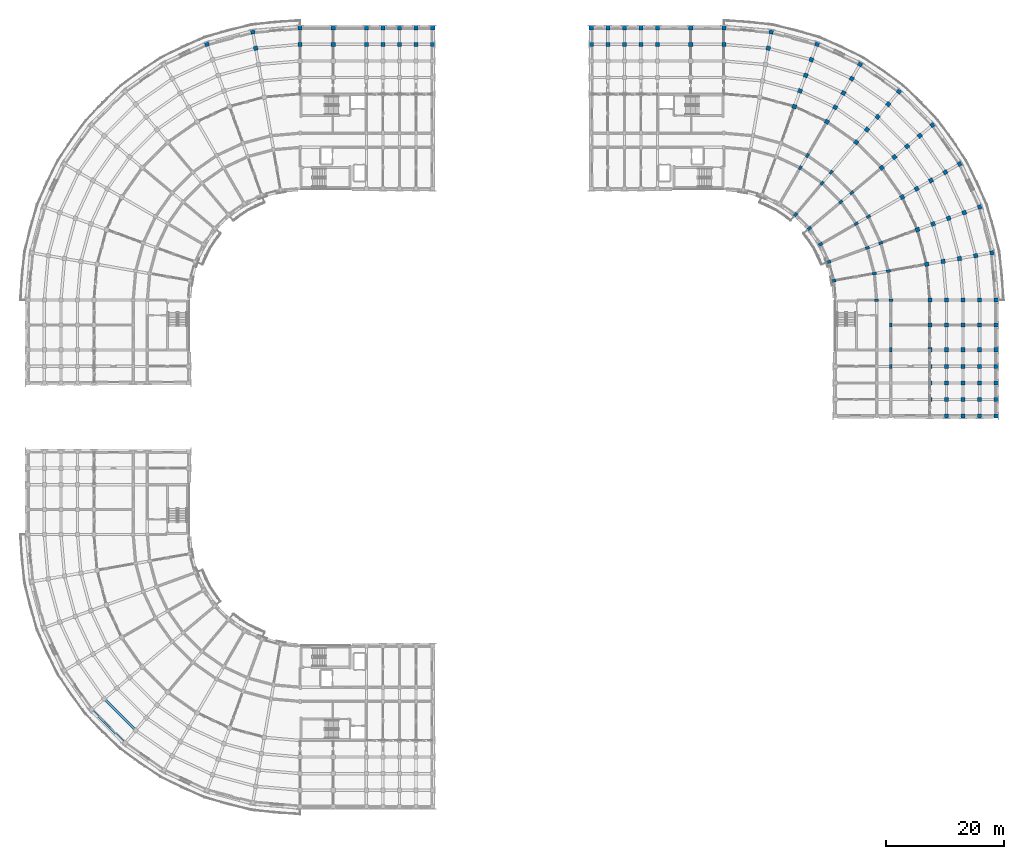
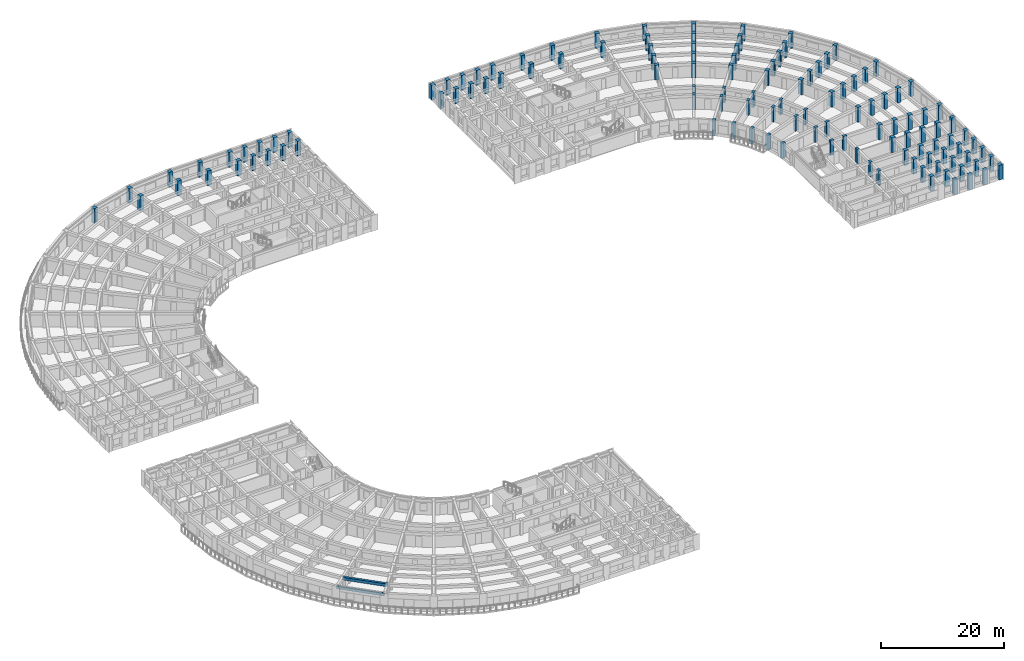
# One storey, part 3 of 57: 124 columns, 2 beams.
"""IFC4 building model written with IfcOpenShell, lengths in metres."""

import ifcopenshell
import ifcopenshell.guid

model = None  # the IFC model being written
_history = None  # IfcOwnerHistory: only IFC2X3 demands one
_inside = {}  # id of a spatial element -> (the spatial element, [elements in it])
_under = {}  # id of a project, library or spatial element -> (it, [spatial elements below it])
_declared = {}  # id of a project -> (the project, [libraries it declares])
_typed = {}  # id of a type object -> (the type object, [elements of that type])
_made_of = {}  # id of a material, layer set ... -> (it, [elements and type objects made of it])


def new_model(schema):
    """Start an empty IFC model of exactly this schema.

    Asked for "IFC4X3", IfcOpenShell would pick the latest addendum, in which some entities
    have other attributes; the version numbers below select the first issue.
    IFC2X3 requires an IfcOwnerHistory on every rooted entity: one is made here for all.
    """
    global model, _history
    if schema == "IFC4X3":
        model = ifcopenshell.file(schema_version=(4, 3, 0, 0))
    else:
        model = ifcopenshell.file(schema=schema)
    _inside.clear()
    _under.clear()
    _declared.clear()
    _typed.clear()
    _made_of.clear()
    _history = None
    if model.schema == "IFC2X3":
        org = make("IfcOrganization", Name="unknown")
        user = make(
            "IfcPersonAndOrganization",
            ThePerson=make("IfcPerson", FamilyName="unknown"),
            TheOrganization=org,
        )
        app = make(
            "IfcApplication",
            ApplicationDeveloper=org,
            Version="unknown",
            ApplicationFullName="unknown",
            ApplicationIdentifier="unknown",
        )
        _history = make(
            "IfcOwnerHistory",
            OwningUser=user,
            OwningApplication=app,
            ChangeAction="ADDED",
            CreationDate=0,
        )
    return model


def make(cls, **values):
    """One entity of the class cls with the attributes given. An attribute that is None is left unset."""
    return model.create_entity(
        cls, **{name: value for name, value in values.items() if value is not None}
    )


def rooted(cls, **values):
    """An entity with a GlobalId (a new one), such as an element, a storey or a relation."""
    return make(cls, GlobalId=ifcopenshell.guid.new(), OwnerHistory=_history, **values)


def si_unit(unit_type, name, prefix=None):
    """IfcSIUnit, for example si_unit("LENGTHUNIT", "METRE", prefix="MILLI")."""
    return make("IfcSIUnit", UnitType=unit_type, Prefix=prefix, Name=name)


def assignment(units):
    """IfcUnitAssignment: the units of a project."""
    return None if units is None else make("IfcUnitAssignment", Units=units)


def point(xyz):
    """IfcCartesianPoint."""
    return None if xyz is None else make("IfcCartesianPoint", Coordinates=xyz)


def direction(xyz):
    """IfcDirection."""
    return None if xyz is None else make("IfcDirection", DirectionRatios=xyz)


def frame(location, z_axis=None, x_axis=None):
    """IfcAxis2Placement3D, a coordinate frame: its origin and axes. An axis left out is left unset."""
    return make(
        "IfcAxis2Placement3D",
        Location=point(location),
        Axis=direction(z_axis),
        RefDirection=direction(x_axis),
    )


def frame_2d(location, x_axis=None):
    """IfcAxis2Placement2D, a coordinate frame in the plane: its origin and x axis."""
    return make(
        "IfcAxis2Placement2D", Location=point(location), RefDirection=direction(x_axis)
    )


def origin():
    """The frame at (0, 0, 0) with its axes left unset."""
    return frame((0.0, 0.0, 0.0))


def origin_2d():
    """The frame at (0, 0) in the plane with its x axis left unset."""
    return frame_2d((0.0, 0.0))


def place(relative_to, where):
    """IfcLocalPlacement: puts the frame where relative to a parent placement (None: the world)."""
    return make(
        "IfcLocalPlacement", PlacementRelTo=relative_to, RelativePlacement=where
    )


def context(
    kind, dimensions, precision=None, world=None, true_north=None, identifier=None
):
    """IfcGeometricRepresentationContext, for example the 3D "Model" context."""
    return make(
        "IfcGeometricRepresentationContext",
        ContextIdentifier=identifier,
        ContextType=kind,
        CoordinateSpaceDimension=dimensions,
        Precision=precision,
        WorldCoordinateSystem=world,
        TrueNorth=true_north,
    )


def subcontext(parent, identifier, kind, view, scale=None):
    """IfcGeometricRepresentationSubContext, for example "Body" below "Model"."""
    return make(
        "IfcGeometricRepresentationSubContext",
        ContextIdentifier=identifier,
        ContextType=kind,
        ParentContext=parent,
        TargetScale=scale,
        TargetView=view,
    )


def project(units=None, contexts=None):
    """IfcProject with its units and contexts."""
    return rooted(
        "IfcProject",
        Name="project",
        RepresentationContexts=contexts,
        UnitsInContext=assignment(units),
    )


def spatial(cls, under=None, at=None, **own):
    """A site, building, storey or space (cls), placed at a placement, below another one or the project."""
    s = rooted(cls, ObjectPlacement=at, **own)
    if under is not None:
        _under.setdefault(under.id(), (under, []))[1].append(s)
    return s


def profile(cls, at=None, kind="AREA", **sizes):
    """A parametric profile (cls). Its sizes go by their IFC names, for example OverallWidth=200.0."""
    return make(cls, ProfileType=kind, Position=at, **sizes)


def rectangle(**sizes):
    """IfcRectangleProfileDef."""
    return profile("IfcRectangleProfileDef", **sizes)


def extrude(swept, where, along, depth):
    """IfcExtrudedAreaSolid: the profile swept, set in the frame where, extruded along a direction by depth."""
    return make(
        "IfcExtrudedAreaSolid",
        SweptArea=swept,
        Position=where,
        ExtrudedDirection=direction(along),
        Depth=depth,
    )


def shape(context_of_items, identifier, shape_type, items):
    """IfcShapeRepresentation: the items that make up one representation, for example the "Body"."""
    return make(
        "IfcShapeRepresentation",
        ContextOfItems=context_of_items,
        RepresentationIdentifier=identifier,
        RepresentationType=shape_type,
        Items=items,
    )


def material(Name=None, Category=None):
    """IfcMaterial."""
    return make("IfcMaterial", Name=Name, Category=Category)


def material_profile(
    of_material, cross_section, Name=None, Category=None, Priority=None
):
    """IfcMaterialProfile: a cross section and its material."""
    return make(
        "IfcMaterialProfile",
        Name=Name,
        Material=of_material,
        Profile=cross_section,
        Priority=Priority,
        Category=Category,
    )


def profile_set(profiles, Name=None, composite=None):
    """IfcMaterialProfileSet."""
    return make(
        "IfcMaterialProfileSet",
        Name=Name,
        MaterialProfiles=profiles,
        CompositeProfile=composite,
    )


def made_of(thing, what):
    """Note that an element or type object is made of a material, layer set ...; save() writes the relation."""
    if what is not None:
        _made_of.setdefault(what.id(), (what, []))[1].append(thing)
    return thing


def type_object(cls, material=None, **own):
    """A type object (cls), such as IfcWallType, which elements share."""
    return made_of(rooted(cls, **own), material)


def element(
    cls,
    number,
    at=None,
    inside=None,
    cuts=None,
    type_object=None,
    material=None,
    context=None,
    identifier="Body",
    shape_type=None,
    held_by="IfcProductDefinitionShape",
    body=None,
    shapes=None,
    **own,
):
    """One element of the class cls, such as IfcWall. Its Tag is "e" and its number.

    at: its placement. inside: the storey or other place that contains it. cuts: it is an
    opening in that element (IfcRelVoidsElement). A single representation is given by context,
    identifier, shape_type and body (its items); several are given by shapes. held_by: the class
    of the entity that holds the representations. save() writes the other relations.
    """
    e = rooted(cls, Tag="e%d" % number, ObjectPlacement=at, **own)
    if body is not None:
        shapes = [shape(context, identifier, shape_type, body)]
    if shapes is not None:
        e.Representation = make(held_by, Representations=shapes)
    if inside is not None:
        _inside.setdefault(inside.id(), (inside, []))[1].append(e)
    if cuts is not None:
        rooted(
            "IfcRelVoidsElement", RelatingBuildingElement=cuts, RelatedOpeningElement=e
        )
    if type_object is not None:
        _typed.setdefault(type_object.id(), (type_object, []))[1].append(e)
    return made_of(e, material)


def aggregate(whole, parts):
    """IfcRelAggregates: a whole, such as a stair, and the parts it consists of."""
    return rooted("IfcRelAggregates", RelatingObject=whole, RelatedObjects=parts)


def save(model, path):
    """Write the relations noted so far, then the file.

    IfcRelAggregates (storeys below a building ...), IfcRelContainedInSpatialStructure (elements
    in a storey), IfcRelDefinesByType, IfcRelAssociatesMaterial and IfcRelDeclares: one each for
    every whole, place, type object, material and project.
    """
    for whole, parts in _under.values():
        aggregate(whole, parts)
    for where, things in _inside.values():
        rooted(
            "IfcRelContainedInSpatialStructure",
            RelatedElements=things,
            RelatingStructure=where,
        )
    for kind, things in _typed.values():
        rooted("IfcRelDefinesByType", RelatedObjects=things, RelatingType=kind)
    for what, things in _made_of.values():
        rooted("IfcRelAssociatesMaterial", RelatedObjects=things, RelatingMaterial=what)
    for by, libraries in _declared.values():
        rooted("IfcRelDeclares", RelatingContext=by, RelatedDefinitions=libraries)
    model.write(path)


model = new_model("IFC4")

# Units and contexts
model_context = context("Model", 3, precision=1e-05, world=origin(), true_north=direction((0.0, 1.0)))
body_context = subcontext(model_context, "Body", "Model", "MODEL_VIEW")
ifc_project = project(units=[si_unit("LENGTHUNIT", "METRE"), si_unit("AREAUNIT", "SQUARE_METRE"), si_unit("VOLUMEUNIT", "CUBIC_METRE"), si_unit("PLANEANGLEUNIT", "RADIAN"), si_unit("MASSUNIT", "GRAM", prefix="KILO")], contexts=[model_context])

# Site, building, storey
site_placement = place(None, origin())
site = spatial("IfcSite", under=ifc_project, at=site_placement, CompositionType="ELEMENT")
building_placement = place(site_placement, origin())
building = spatial("IfcBuilding", under=site, at=building_placement, Name="Kiranvali Square Residences", CompositionType="ELEMENT")
storey_placement = place(building_placement, frame((0.0, 0.0, 18.14990234375)))
storey = spatial("IfcBuildingStorey", under=building, at=storey_placement, Name="L05", CompositionType="ELEMENT", Elevation=18.14990234375)

# Columns
ifc_material_1 = material(Name="Concrete M45 (45 MPa)", Category="concrete")
ifc_material_profile_1 = material_profile(ifc_material_1, rectangle(XDim=0.699951171875, YDim=0.699951171875, at=origin_2d()), Name="RC 700x700")
ifc_profile_set_1 = profile_set([ifc_material_profile_1], Name="Concrete M45 (45 MPa)")
column_type_1 = type_object("IfcColumnType", Name="COL-M45-700", PredefinedType="COLUMN", material=ifc_profile_set_1)
for number, where, z_axis, x_axis, name in (
    (1, (48.199951171875, 131.0, 0.0), (0.0, 0.0, 1.0), (1.0, 0.0, 0.0), "Block A L05 radial column A00-R6"),
    (2, (48.199951171875, 133.800048828125, 0.0), (0.0, 0.0, 1.0), (1.0, 0.0, 0.0), "Block A L05 radial column A00-R7"),
    (3, (40.698486328125, 130.34375, 0.0), (0.0, 0.0, 1.0), (0.984807753012, 0.173648177667, 0.0), "Block A L05 radial column A01-R6"),
    (4, (40.212158203125, 133.10107421875, 0.0), (0.0, 0.0, 1.0), (0.984807753012, 0.173648177667, 0.0), "Block A L05 radial column A01-R7"),
    (5, (32.467041015625, 131.02587890625, 0.0), (0.0, 0.0, 1.0), (0.939692620786, 0.342020143326, 0.0), "Block A L05 radial column A02-R7"),
    (6, (53.800048828125, 131.0, 0.0), (0.0, 0.0, 1.0), (1.0, 0.0, 0.0), "Block A L05 core-front column U0-R6"),
    (7, (53.800048828125, 133.800048828125, 0.0), (0.0, 0.0, 1.0), (1.0, 0.0, 0.0), "Block A L05 core-front column U0-R7"),
    (8, (59.39990234375, 131.0, 0.0), (0.0, 0.0, 1.0), (1.0, 0.0, 0.0), "Block A L05 Arm 1 column U1-R6"),
    (9, (59.39990234375, 133.800048828125, 0.0), (0.0, 0.0, 1.0), (1.0, 0.0, 0.0), "Block A L05 Arm 1 column U1-R7"),
    (10, (62.199951171875, 131.0, 0.0), (0.0, 0.0, 1.0), (1.0, 0.0, 0.0), "Block A L05 Arm 1 column U2-R6"),
    (11, (62.199951171875, 133.800048828125, 0.0), (0.0, 0.0, 1.0), (1.0, 0.0, 0.0), "Block A L05 Arm 1 column U2-R7"),
    (12, (65.0, 131.0, 0.0), (0.0, 0.0, 1.0), (1.0, 0.0, 0.0), "Block A L05 Arm 1 column U3-R6"),
    (13, (65.0, 133.800048828125, 0.0), (0.0, 0.0, 1.0), (1.0, 0.0, 0.0), "Block A L05 Arm 1 column U3-R7"),
    (14, (67.800048828125, 131.0, 0.0), (0.0, 0.0, 1.0), (1.0, 0.0, 0.0), "Block A L05 Arm 1 column U4-R6"),
    (15, (67.800048828125, 133.800048828125, 0.0), (0.0, 0.0, 1.0), (1.0, 0.0, 0.0), "Block A L05 Arm 1 column U4-R7"),
    (16, (70.60009765625, 131.0, 0.0), (0.0, 0.0, 1.0), (1.0, 0.0, 0.0), "Block A L05 Arm 1 column U5-R6"),
    (17, (70.60009765625, 133.800048828125, 0.0), (0.0, 0.0, 1.0), (1.0, 0.0, 0.0), "Block A L05 Arm 1 column U5-R7"),
    (18, (119.800048828125, 131.0, 0.0), (0.0, 0.0, 1.0), (1.0, 0.0, 0.0), "Block B L05 radial column A00-R6"),
    (19, (119.800048828125, 133.800048828125, 0.0), (0.0, 0.0, 1.0), (1.0, 0.0, 0.0), "Block B L05 radial column A00-R7"),
    (20, (127.301513671875, 130.34375, 0.0), (0.0, 0.0, 1.0), (-0.984807753012, 0.173648177667, 0.0), "Block B L05 radial column A01-R6"),
    (21, (127.787841796875, 133.10107421875, 0.0), (0.0, 0.0, 1.0), (-0.984807753012, 0.173648177667, 0.0), "Block B L05 radial column A01-R7"),
    (22, (131.702392578125, 120.501220703125, 0.0), (0.0, 0.0, 1.0), (-0.939692620786, 0.342020143326, 0.0), "Block B L05 radial column A02-R3"),
    (23, (132.659912109375, 123.13232421875, 0.0), (0.0, 0.0, 1.0), (-0.939692620786, 0.342020143326, 0.0), "Block B L05 radial column A02-R4"),
    (24, (133.61767578125, 125.763671875, 0.0), (0.0, 0.0, 1.0), (-0.939692620786, 0.342020143326, 0.0), "Block B L05 radial column A02-R5"),
    (25, (134.5751953125, 128.394775390625, 0.0), (0.0, 0.0, 1.0), (-0.939692620786, 0.342020143326, 0.0), "Block B L05 radial column A02-R6"),
    (26, (135.532958984375, 131.02587890625, 0.0), (0.0, 0.0, 1.0), (-0.939692620786, 0.342020143326, 0.0), "Block B L05 radial column A02-R7"),
    (27, (137.199951171875, 117.937744140625, 0.0), (0.0, 0.0, 1.0), (-0.866025403784, 0.5, 0.0), "Block B L05 radial column A03-R3"),
    (28, (138.60009765625, 120.362548828125, 0.0), (0.0, 0.0, 1.0), (-0.866025403784, 0.5, 0.0), "Block B L05 radial column A03-R4"),
    (29, (140.0, 122.787353515625, 0.0), (0.0, 0.0, 1.0), (-0.866025403784, 0.5, 0.0), "Block B L05 radial column A03-R5"),
    (30, (141.39990234375, 125.21240234375, 0.0), (0.0, 0.0, 1.0), (-0.866025403784, 0.5, 0.0), "Block B L05 radial column A03-R6"),
    (31, (142.800048828125, 127.63720703125, 0.0), (0.0, 0.0, 1.0), (-0.866025403784, 0.5, 0.0), "Block B L05 radial column A03-R7"),
    (32, (142.1689453125, 114.458251953125, 0.0), (0.0, 0.0, 1.0), (-0.766044443119, 0.642787609687, 0.0), "Block B L05 radial column A04-R3"),
    (33, (143.96875, 116.603271484375, 0.0), (0.0, 0.0, 1.0), (-0.766044443119, 0.642787609687, 0.0), "Block B L05 radial column A04-R4"),
    (34, (145.7685546875, 118.748291015625, 0.0), (0.0, 0.0, 1.0), (-0.766044443119, 0.642787609687, 0.0), "Block B L05 radial column A04-R5"),
    (35, (147.568359375, 120.89306640625, 0.0), (0.0, 0.0, 1.0), (-0.766044443119, 0.642787609687, 0.0), "Block B L05 radial column A04-R6"),
    (36, (149.3681640625, 123.0380859375, 0.0), (0.0, 0.0, 1.0), (-0.766044443119, 0.642787609687, 0.0), "Block B L05 radial column A04-R7"),
    (37, (146.458251953125, 110.1689453125, 0.0), (0.0, 0.0, 1.0), (-0.642787609687, 0.766044443119, 0.0), "Block B L05 radial column A05-R3"),
    (38, (148.603271484375, 111.96875, 0.0), (0.0, 0.0, 1.0), (-0.642787609687, 0.766044443119, 0.0), "Block B L05 radial column A05-R4"),
    (39, (150.748291015625, 113.7685546875, 0.0), (0.0, 0.0, 1.0), (-0.642787609687, 0.766044443119, 0.0), "Block B L05 radial column A05-R5"),
    (40, (152.89306640625, 115.568359375, 0.0), (0.0, 0.0, 1.0), (-0.642787609687, 0.766044443119, 0.0), "Block B L05 radial column A05-R6"),
    (41, (155.0380859375, 117.3681640625, 0.0), (0.0, 0.0, 1.0), (-0.642787609687, 0.766044443119, 0.0), "Block B L05 radial column A05-R7"),
    (42, (149.937744140625, 105.199951171875, 0.0), (0.0, 0.0, 1.0), (-0.5, 0.866025403784, 0.0), "Block B L05 radial column A06-R3"),
    (43, (152.362548828125, 106.60009765625, 0.0), (0.0, 0.0, 1.0), (-0.5, 0.866025403784, 0.0), "Block B L05 radial column A06-R4"),
    (44, (154.787353515625, 108.0, 0.0), (0.0, 0.0, 1.0), (-0.5, 0.866025403784, 0.0), "Block B L05 radial column A06-R5"),
    (45, (157.21240234375, 109.39990234375, 0.0), (0.0, 0.0, 1.0), (-0.5, 0.866025403784, 0.0), "Block B L05 radial column A06-R6"),
    (46, (159.63720703125, 110.800048828125, 0.0), (0.0, 0.0, 1.0), (-0.5, 0.866025403784, 0.0), "Block B L05 radial column A06-R7"),
    (47, (152.501220703125, 99.702392578125, 0.0), (0.0, 0.0, 1.0), (-0.342020143326, 0.939692620786, 0.0), "Block B L05 radial column A07-R3"),
    (48, (155.13232421875, 100.659912109375, 0.0), (0.0, 0.0, 1.0), (-0.342020143326, 0.939692620786, 0.0), "Block B L05 radial column A07-R4"),
    (49, (157.763671875, 101.61767578125, 0.0), (0.0, 0.0, 1.0), (-0.342020143326, 0.939692620786, 0.0), "Block B L05 radial column A07-R5"),
    (50, (160.394775390625, 102.5751953125, 0.0), (0.0, 0.0, 1.0), (-0.342020143326, 0.939692620786, 0.0), "Block B L05 radial column A07-R6"),
    (51, (163.02587890625, 103.532958984375, 0.0), (0.0, 0.0, 1.0), (-0.342020143326, 0.939692620786, 0.0), "Block B L05 radial column A07-R7"),
    (52, (154.0712890625, 93.843017578125, 0.0), (0.0, 0.0, 1.0), (-0.173648177667, 0.984807753012, 0.0), "Block B L05 radial column A08-R3"),
    (53, (156.828857421875, 94.3291015625, 0.0), (0.0, 0.0, 1.0), (-0.173648177667, 0.984807753012, 0.0), "Block B L05 radial column A08-R4"),
    (54, (159.586181640625, 94.8154296875, 0.0), (0.0, 0.0, 1.0), (-0.173648177667, 0.984807753012, 0.0), "Block B L05 radial column A08-R5"),
    (55, (162.34375, 95.301513671875, 0.0), (0.0, 0.0, 1.0), (-0.173648177667, 0.984807753012, 0.0), "Block B L05 radial column A08-R6"),
    (56, (165.10107421875, 95.787841796875, 0.0), (0.0, 0.0, 1.0), (-0.173648177667, 0.984807753012, 0.0), "Block B L05 radial column A08-R7"),
    (57, (154.60009765625, 87.800048828125, 0.0), (0.0, 0.0, 1.0), (0.0, 1.0, 0.0), "Block B L05 radial column A09-R3"),
    (58, (157.39990234375, 87.800048828125, 0.0), (0.0, 0.0, 1.0), (0.0, 1.0, 0.0), "Block B L05 radial column A09-R4"),
    (59, (160.199951171875, 87.800048828125, 0.0), (0.0, 0.0, 1.0), (0.0, 1.0, 0.0), "Block B L05 radial column A09-R5"),
    (60, (163.0, 87.800048828125, 0.0), (0.0, 0.0, 1.0), (0.0, 1.0, 0.0), "Block B L05 radial column A09-R6"),
    (61, (165.800048828125, 87.800048828125, 0.0), (0.0, 0.0, 1.0), (0.0, 1.0, 0.0), "Block B L05 radial column A09-R7"),
    (62, (114.199951171875, 131.0, 0.0), (0.0, 0.0, 1.0), (1.0, 0.0, 0.0), "Block B L05 core-front column U0-R6"),
    (63, (114.199951171875, 133.800048828125, 0.0), (0.0, 0.0, 1.0), (1.0, 0.0, 0.0), "Block B L05 core-front column U0-R7"),
    (64, (108.60009765625, 131.0, 0.0), (0.0, 0.0, 1.0), (1.0, 0.0, 0.0), "Block B L05 Arm 1 column U1-R6"),
    (65, (108.60009765625, 133.800048828125, 0.0), (0.0, 0.0, 1.0), (1.0, 0.0, 0.0), "Block B L05 Arm 1 column U1-R7"),
    (66, (105.800048828125, 131.0, 0.0), (0.0, 0.0, 1.0), (1.0, 0.0, 0.0), "Block B L05 Arm 1 column U2-R6"),
    (67, (105.800048828125, 133.800048828125, 0.0), (0.0, 0.0, 1.0), (1.0, 0.0, 0.0), "Block B L05 Arm 1 column U2-R7"),
    (68, (103.0, 131.0, 0.0), (0.0, 0.0, 1.0), (1.0, 0.0, 0.0), "Block B L05 Arm 1 column U3-R6"),
    (69, (103.0, 133.800048828125, 0.0), (0.0, 0.0, 1.0), (1.0, 0.0, 0.0), "Block B L05 Arm 1 column U3-R7"),
    (70, (100.199951171875, 131.0, 0.0), (0.0, 0.0, 1.0), (1.0, 0.0, 0.0), "Block B L05 Arm 1 column U4-R6"),
    (71, (100.199951171875, 133.800048828125, 0.0), (0.0, 0.0, 1.0), (1.0, 0.0, 0.0), "Block B L05 Arm 1 column U4-R7"),
    (72, (97.39990234375, 131.0, 0.0), (0.0, 0.0, 1.0), (1.0, 0.0, 0.0), "Block B L05 Arm 1 column U5-R6"),
    (73, (97.39990234375, 133.800048828125, 0.0), (0.0, 0.0, 1.0), (1.0, 0.0, 0.0), "Block B L05 Arm 1 column U5-R7"),
    (74, (154.60009765625, 83.60009765625, 0.0), (0.0, 0.0, 1.0), (1.0, 0.0, 0.0), "Block B L05 Arm 2 mid-core column V0-R3"),
    (75, (157.39990234375, 83.60009765625, 0.0), (0.0, 0.0, 1.0), (1.0, 0.0, 0.0), "Block B L05 Arm 2 mid-core column V0-R4"),
    (76, (160.199951171875, 83.60009765625, 0.0), (0.0, 0.0, 1.0), (1.0, 0.0, 0.0), "Block B L05 Arm 2 mid-core column V0-R5"),
    (77, (163.0, 83.60009765625, 0.0), (0.0, 0.0, 1.0), (1.0, 0.0, 0.0), "Block B L05 Arm 2 mid-core column V0-R6"),
    (78, (165.800048828125, 83.60009765625, 0.0), (0.0, 0.0, 1.0), (1.0, 0.0, 0.0), "Block B L05 Arm 2 mid-core column V0-R7"),
    (79, (154.60009765625, 79.39990234375, 0.0), (0.0, 0.0, 1.0), (1.0, 0.0, 0.0), "Block B L05 Arm 2 column V1-R3"),
    (80, (157.39990234375, 79.39990234375, 0.0), (0.0, 0.0, 1.0), (1.0, 0.0, 0.0), "Block B L05 Arm 2 column V1-R4"),
    (81, (160.199951171875, 79.39990234375, 0.0), (0.0, 0.0, 1.0), (1.0, 0.0, 0.0), "Block B L05 Arm 2 column V1-R5"),
    (82, (163.0, 79.39990234375, 0.0), (0.0, 0.0, 1.0), (1.0, 0.0, 0.0), "Block B L05 Arm 2 column V1-R6"),
    (83, (165.800048828125, 79.39990234375, 0.0), (0.0, 0.0, 1.0), (1.0, 0.0, 0.0), "Block B L05 Arm 2 column V1-R7"),
    (84, (154.60009765625, 76.60009765625, 0.0), (0.0, 0.0, 1.0), (1.0, 0.0, 0.0), "Block B L05 Arm 2 column V2-R3"),
    (85, (157.39990234375, 76.60009765625, 0.0), (0.0, 0.0, 1.0), (1.0, 0.0, 0.0), "Block B L05 Arm 2 column V2-R4"),
    (86, (160.199951171875, 76.60009765625, 0.0), (0.0, 0.0, 1.0), (1.0, 0.0, 0.0), "Block B L05 Arm 2 column V2-R5"),
    (87, (163.0, 76.60009765625, 0.0), (0.0, 0.0, 1.0), (1.0, 0.0, 0.0), "Block B L05 Arm 2 column V2-R6"),
    (88, (165.800048828125, 76.60009765625, 0.0), (0.0, 0.0, 1.0), (1.0, 0.0, 0.0), "Block B L05 Arm 2 column V2-R7"),
    (89, (154.60009765625, 73.800048828125, 0.0), (0.0, 0.0, 1.0), (1.0, 0.0, 0.0), "Block B L05 Arm 2 column V3-R3"),
    (90, (157.39990234375, 73.800048828125, 0.0), (0.0, 0.0, 1.0), (1.0, 0.0, 0.0), "Block B L05 Arm 2 column V3-R4"),
    (91, (160.199951171875, 73.800048828125, 0.0), (0.0, 0.0, 1.0), (1.0, 0.0, 0.0), "Block B L05 Arm 2 column V3-R5"),
    (92, (163.0, 73.800048828125, 0.0), (0.0, 0.0, 1.0), (1.0, 0.0, 0.0), "Block B L05 Arm 2 column V3-R6"),
    (93, (165.800048828125, 73.800048828125, 0.0), (0.0, 0.0, 1.0), (1.0, 0.0, 0.0), "Block B L05 Arm 2 column V3-R7"),
    (94, (154.60009765625, 71.0, 0.0), (0.0, 0.0, 1.0), (1.0, 0.0, 0.0), "Block B L05 Arm 2 column V4-R3"),
    (95, (157.39990234375, 71.0, 0.0), (0.0, 0.0, 1.0), (1.0, 0.0, 0.0), "Block B L05 Arm 2 column V4-R4"),
    (96, (160.199951171875, 71.0, 0.0), (0.0, 0.0, 1.0), (1.0, 0.0, 0.0), "Block B L05 Arm 2 column V4-R5"),
    (97, (163.0, 71.0, 0.0), (0.0, 0.0, 1.0), (1.0, 0.0, 0.0), "Block B L05 Arm 2 column V4-R6"),
    (98, (165.800048828125, 71.0, 0.0), (0.0, 0.0, 1.0), (1.0, 0.0, 0.0), "Block B L05 Arm 2 column V4-R7"),
    (99, (157.39990234375, 68.199951171875, 0.0), (0.0, 0.0, 1.0), (1.0, 0.0, 0.0), "Block B L05 Arm 2 column V5-R4"),
    (100, (160.199951171875, 68.199951171875, 0.0), (0.0, 0.0, 1.0), (1.0, 0.0, 0.0), "Block B L05 Arm 2 column V5-R5"),
    (101, (163.0, 68.199951171875, 0.0), (0.0, 0.0, 1.0), (1.0, 0.0, 0.0), "Block B L05 Arm 2 column V5-R6"),
    (102, (165.800048828125, 68.199951171875, 0.0), (0.0, 0.0, 1.0), (1.0, 0.0, 0.0), "Block B L05 Arm 2 column V5-R7"),
):
    element("IfcColumn", number, at=place(storey_placement, frame(where, z_axis=z_axis, x_axis=x_axis)), inside=storey, type_object=column_type_1, Name=name, PredefinedType="COLUMN", context=body_context, shape_type="SweptSolid", body=[
        extrude(rectangle(XDim=0.699951171875, YDim=0.699951171875, at=origin_2d()), origin(), (0.0, 0.0, 1.0), 2.93017578125),
    ])
ifc_material_profile_2 = material_profile(ifc_material_1, rectangle(XDim=0.449951171875, YDim=0.699951171875, at=origin_2d()), Name="RC 700x450")
ifc_profile_set_2 = profile_set([ifc_material_profile_2], Name="Concrete M45 (45 MPa)")
column_type_2 = type_object("IfcColumnType", Name="COL-M45-700x450", PredefinedType="COLUMN", material=ifc_profile_set_2)
for number, where, z_axis, x_axis, name in (
    (103, (132.699951171875, 110.1435546875, 0.0), (0.0, 0.0, 1.0), (-0.866025403784, 0.5, 0.0), "Block B L05 radial column A03-R1"),
    (104, (133.89990234375, 112.221923828125, 0.0), (0.0, 0.0, 1.0), (-0.866025403784, 0.5, 0.0), "Block B L05 radial column A03-R2"),
    (105, (136.384033203125, 107.56396484375, 0.0), (0.0, 0.0, 1.0), (-0.766044443119, 0.642787609687, 0.0), "Block B L05 radial column A04-R1"),
    (106, (137.926513671875, 109.40234375, 0.0), (0.0, 0.0, 1.0), (-0.766044443119, 0.642787609687, 0.0), "Block B L05 radial column A04-R2"),
    (107, (139.56396484375, 104.384033203125, 0.0), (0.0, 0.0, 1.0), (-0.642787609687, 0.766044443119, 0.0), "Block B L05 radial column A05-R1"),
    (108, (141.40234375, 105.926513671875, 0.0), (0.0, 0.0, 1.0), (-0.642787609687, 0.766044443119, 0.0), "Block B L05 radial column A05-R2"),
    (109, (142.1435546875, 100.699951171875, 0.0), (0.0, 0.0, 1.0), (-0.5, 0.866025403784, 0.0), "Block B L05 radial column A06-R1"),
    (110, (144.221923828125, 101.89990234375, 0.0), (0.0, 0.0, 1.0), (-0.5, 0.866025403784, 0.0), "Block B L05 radial column A06-R2"),
    (111, (144.044189453125, 96.6240234375, 0.0), (0.0, 0.0, 1.0), (-0.342020143326, 0.939692620786, 0.0), "Block B L05 radial column A07-R1"),
    (112, (146.29931640625, 97.445068359375, 0.0), (0.0, 0.0, 1.0), (-0.342020143326, 0.939692620786, 0.0), "Block B L05 radial column A07-R2"),
    (113, (145.2080078125, 92.280029296875, 0.0), (0.0, 0.0, 1.0), (-0.173648177667, 0.984807753012, 0.0), "Block B L05 radial column A08-R1"),
    (114, (147.571533203125, 92.69677734375, 0.0), (0.0, 0.0, 1.0), (-0.173648177667, 0.984807753012, 0.0), "Block B L05 radial column A08-R2"),
    (115, (145.60009765625, 87.800048828125, 0.0), (0.0, 0.0, 1.0), (0.0, 1.0, 0.0), "Block B L05 radial column A09-R1"),
    (116, (148.0, 87.800048828125, 0.0), (0.0, 0.0, 1.0), (0.0, 1.0, 0.0), "Block B L05 radial column A09-R2"),
    (117, (148.0, 83.60009765625, 0.0), (0.0, 0.0, 1.0), (1.0, 0.0, 0.0), "Block B L05 Arm 2 mid-core column V0-R2"),
    (118, (148.0, 79.39990234375, 0.0), (0.0, 0.0, 1.0), (1.0, 0.0, 0.0), "Block B L05 Arm 2 column V1-R2"),
    (119, (148.0, 76.60009765625, 0.0), (0.0, 0.0, 1.0), (1.0, 0.0, 0.0), "Block B L05 Arm 2 column V2-R2"),
):
    element("IfcColumn", number, at=place(storey_placement, frame(where, z_axis=z_axis, x_axis=x_axis)), inside=storey, type_object=column_type_2, Name=name, PredefinedType="COLUMN", context=body_context, shape_type="SweptSolid", body=[
        extrude(rectangle(XDim=0.449951171875, YDim=0.699951171875, at=origin_2d()), origin(), (0.0, 0.0, 1.0), 2.93017578125),
    ])
ifc_material_2 = material(Name="Concrete M50 (50 MPa)", Category="concrete")
ifc_material_profile_3 = material_profile(ifc_material_2, rectangle(XDim=0.5, YDim=0.800048828125, at=origin_2d()), Name="RC 800x500")
ifc_profile_set_3 = profile_set([ifc_material_profile_3], Name="Concrete M50 (50 MPa)")
column_type_3 = type_object("IfcColumnType", Name="COL-M50-800x500", PredefinedType="COLUMN", material=ifc_profile_set_3)
for number, where, z_axis, x_axis, name in (
    (120, (131.884521484375, 102.20166015625, 0.0), (0.0, 0.0, 1.0), (-0.766044443119, 0.642787609687, 0.0), "Block B L05 radial column A04-R0"),
    (121, (134.20166015625, 99.884521484375, 0.0), (0.0, 0.0, 1.0), (-0.642787609687, 0.766044443119, 0.0), "Block B L05 radial column A05-R0"),
    (122, (136.081298828125, 97.199951171875, 0.0), (0.0, 0.0, 1.0), (-0.5, 0.866025403784, 0.0), "Block B L05 radial column A06-R0"),
    (123, (137.46630859375, 94.22998046875, 0.0), (0.0, 0.0, 1.0), (-0.342020143326, 0.939692620786, 0.0), "Block B L05 radial column A07-R0"),
    (124, (138.314453125, 91.064697265625, 0.0), (0.0, 0.0, 1.0), (-0.173648177667, 0.984807753012, 0.0), "Block B L05 radial column A08-R0"),
):
    element("IfcColumn", number, at=place(storey_placement, frame(where, z_axis=z_axis, x_axis=x_axis)), inside=storey, type_object=column_type_3, Name=name, PredefinedType="COLUMN", context=body_context, shape_type="SweptSolid", body=[
        extrude(rectangle(XDim=0.5, YDim=0.800048828125, at=origin_2d()), origin(), (0.0, 0.0, 1.0), 2.93017578125),
    ])

# Beams
ifc_material_profile_4 = material_profile(ifc_material_1, rectangle(XDim=0.39990234375, YDim=0.550048828125, at=origin_2d()), Name="RC 400x550")
ifc_profile_set_4 = profile_set([ifc_material_profile_4], Name="Concrete M45 (45 MPa)")
beam_type_1 = type_object("IfcBeamType", Name="BM-M45-400x550", PredefinedType="BEAM", material=ifc_profile_set_4)
beam_1_placement = place(storey_placement, frame((20.431640625, 15.10693359375, 2.655029296875), z_axis=(-0.707106781187, 0.707106781187, 0.0), x_axis=(-0.707106781187, -0.707106781187, 0.0)))
element("IfcBeam", 125, at=beam_1_placement, inside=storey, type_object=beam_type_1, Name="L05 beam BM-C-L05-C04-R6", PredefinedType="BEAM", context=body_context, shape_type="SweptSolid", body=[
    extrude(rectangle(XDim=0.39990234375, YDim=0.550048828125, at=origin_2d()), origin(), (0.0, 0.0, 1.0), 7.5302734375),
])
ifc_material_3 = material(Name="Concrete M40 (40 MPa)", Category="concrete")
ifc_material_profile_5 = material_profile(ifc_material_3, rectangle(XDim=0.25, YDim=0.550048828125, at=origin_2d()), Name="RC 250x550")
ifc_profile_set_5 = profile_set([ifc_material_profile_5], Name="Concrete M40 (40 MPa)")
beam_type_2 = type_object("IfcBeamType", Name="SPN-M40-250x550", PredefinedType="SPANDREL", material=ifc_profile_set_5)
beam_2_placement = place(storey_placement, frame((18.6318359375, 12.9619140625, 2.695068359375), z_axis=(-0.707106781187, 0.707106781187, 0.0), x_axis=(-0.707106781187, -0.707106781187, 0.0)))
element("IfcBeam", 126, at=beam_2_placement, inside=storey, type_object=beam_type_2, Name="L05 beam BM-C-L05-C04-R7", PredefinedType="SPANDREL", context=body_context, shape_type="SweptSolid", body=[
    extrude(rectangle(XDim=0.25, YDim=0.550048828125, at=origin_2d()), origin(), (0.0, 0.0, 1.0), 8.0185546875),
])

save(model, "model.ifc")
